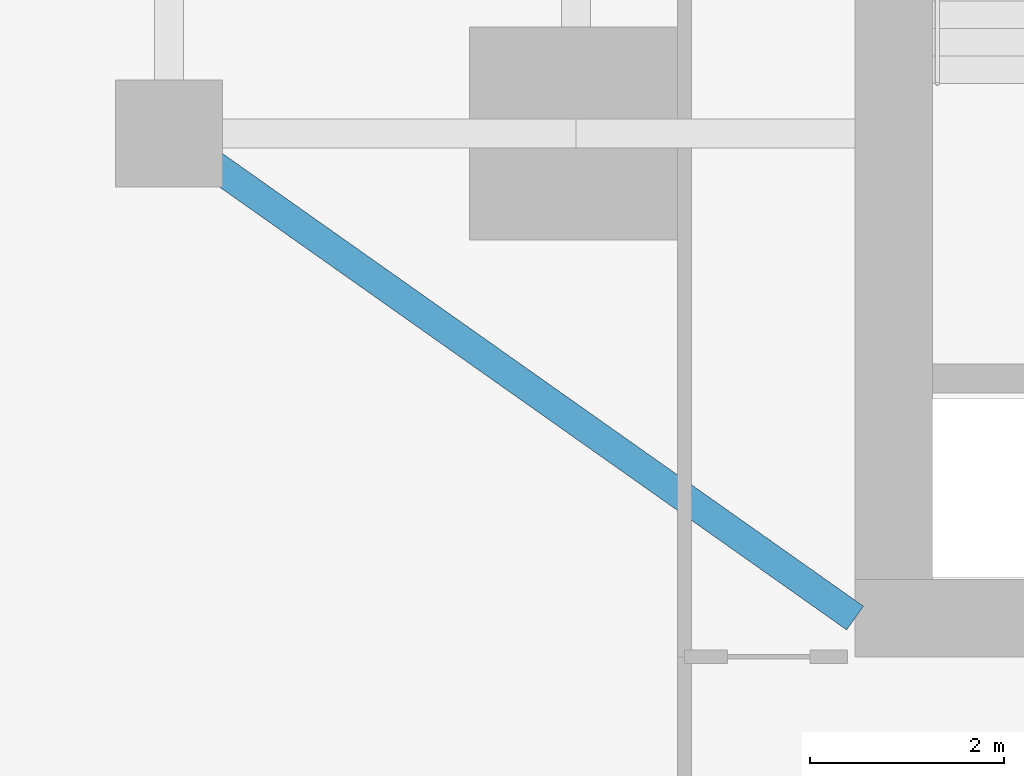
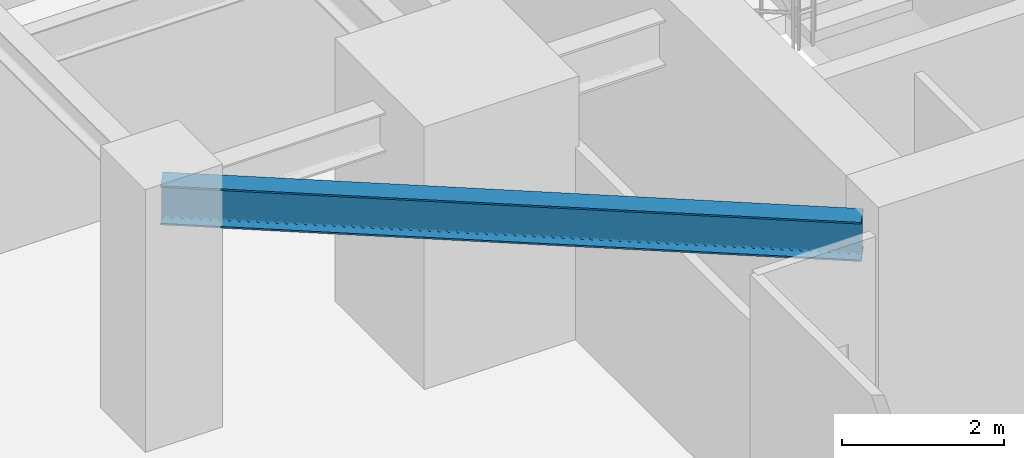
# One storey, part 5 of 29: 1 beam.
"""IFC4 building model written with IfcOpenShell, lengths in metres."""

from ifc_helpers import new_model, si_unit, direction, frame, origin, origin_2d, place, context, subcontext, project, spatial, i_section, extrude, source, transform, mapped, material, material_profile, profile_set, type_object, type_shapes, element, save


model = new_model("IFC4")

# Units and contexts
model_context = context("Model", 3, precision=1e-05, world=origin(), true_north=direction((0.0, 1.0)))
body_context = subcontext(model_context, "Body", "Model", "MODEL_VIEW")
ifc_project = project(units=[si_unit("LENGTHUNIT", "METRE"), si_unit("AREAUNIT", "SQUARE_METRE"), si_unit("VOLUMEUNIT", "CUBIC_METRE"), si_unit("PLANEANGLEUNIT", "RADIAN"), si_unit("MASSUNIT", "GRAM", prefix="KILO")], contexts=[model_context])

# Site, building, storey
site_placement = place(None, origin())
site = spatial("IfcSite", under=ifc_project, at=site_placement, CompositionType="ELEMENT")
building_placement = place(site_placement, origin())
building = spatial("IfcBuilding", under=site, at=building_placement, Name="Krantzveldt Concourse Tower", CompositionType="ELEMENT")
storey_placement = place(building_placement, frame((0.0, 0.0, 76.35009765625)))
storey = spatial("IfcBuildingStorey", under=building, at=storey_placement, Name="L18", CompositionType="ELEMENT", Elevation=76.35009765625)

# Beam
ifc_material = material(Name="Steel S355JR", Category="steel")
ifc_material_profile = material_profile(ifc_material, i_section(OverallWidth=0.300048828125, OverallDepth=0.590087890625, WebThickness=0.012939453125, FlangeThickness=0.02490234375, FilletRadius=0.027099609375, at=origin_2d()), Name="Steel S355JR", Category="steel")
ifc_profile_set = profile_set([ifc_material_profile], Name="Steel S355JR - HEA 600")
beam_type = type_object("IfcBeamType", Name="BM-B-HEA600", PredefinedType="BEAM", material=ifc_profile_set)
shared_shape = source(origin(), body_context, "Body", "SweptSolid", [
    extrude(i_section(OverallWidth=0.300048828125, OverallDepth=0.590087890625, WebThickness=0.012939453125, FlangeThickness=0.02490234375, FilletRadius=0.027099609375, at=origin_2d()), origin(), (0.0, 0.0, 1.0), 8.667724609375),
])
type_shapes(beam_type, [shared_shape])
beam_placement = place(storey_placement, frame((21.0, 15.89990234375, 3.294921875), z_axis=(0.81684294656, -0.576860122261, 0.0), x_axis=(0.576860122261, 0.81684294656, 0.0)))
element("IfcBeam", 1, at=beam_placement, inside=storey, type_object=beam_type, Name="L18 Tower Girder BR-CSW", PredefinedType="BEAM", context=body_context, shape_type="MappedRepresentation", body=[
    mapped(shared_shape, transform((0.0, 0.0, 0.0), x_axis=(1.0, 0.0, 0.0), y_axis=(0.0, 1.0, 0.0), z_axis=(0.0, 0.0, 1.0), scale=1.0)),
])

save(model, "model.ifc")
